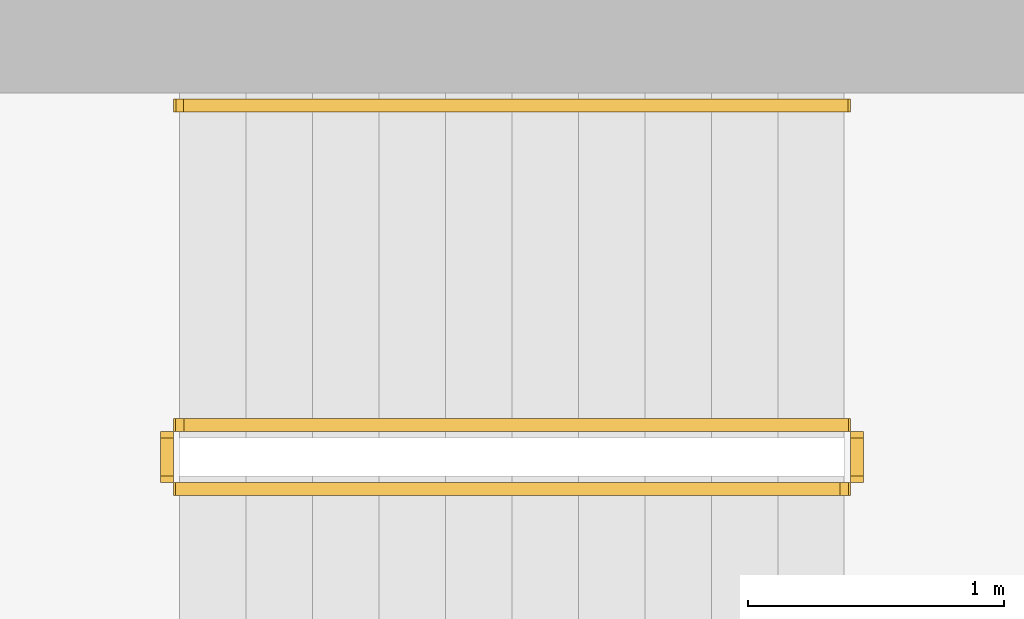
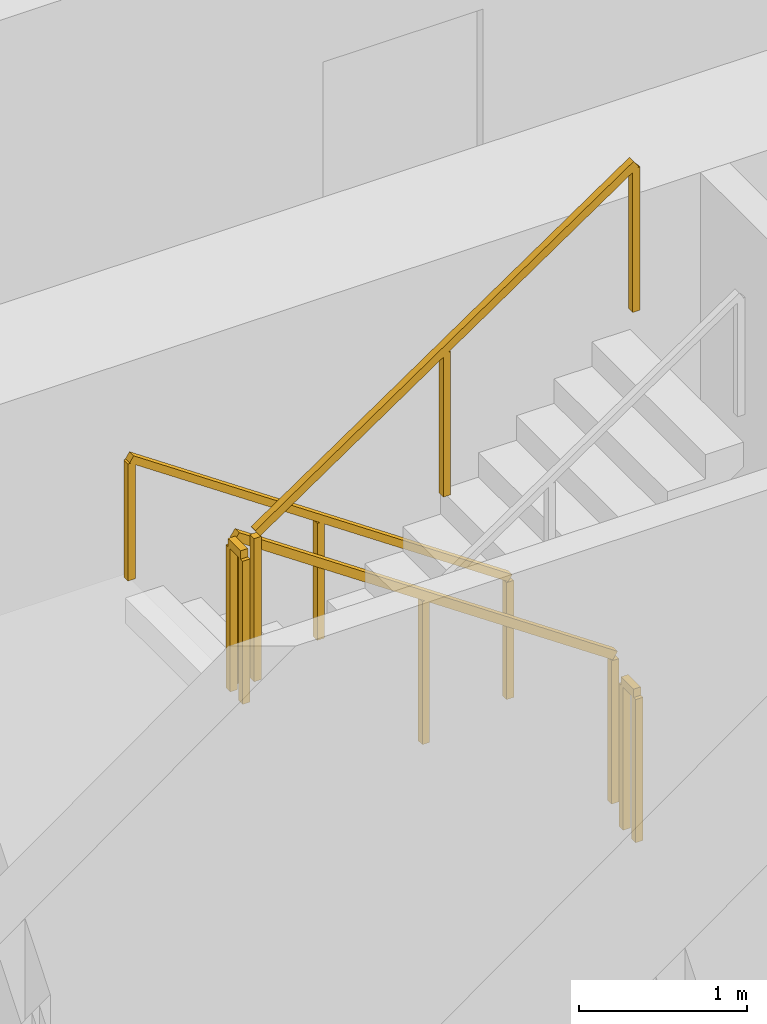
# One storey, part 15 of 16: 5 railings.
"""IFC4 building model written with IfcOpenShell, lengths in metres."""

from ifc_helpers import new_model, si_unit, direction, frame, origin, origin_2d, place, context, subcontext, project, spatial, rectangle, extrude, material, type_object, element, save


model = new_model("IFC4")

# Units and contexts
model_context = context("Model", 3, precision=1e-05, world=origin(), true_north=direction((0.0, 1.0)))
body_context = subcontext(model_context, "Body", "Model", "MODEL_VIEW")
ifc_project = project(units=[si_unit("LENGTHUNIT", "METRE"), si_unit("AREAUNIT", "SQUARE_METRE"), si_unit("VOLUMEUNIT", "CUBIC_METRE"), si_unit("PLANEANGLEUNIT", "RADIAN"), si_unit("MASSUNIT", "GRAM", prefix="KILO")], contexts=[model_context])

# Site, building, storey
site_placement = place(None, origin())
site = spatial("IfcSite", under=ifc_project, at=site_placement, CompositionType="ELEMENT")
building_placement = place(site_placement, origin())
building = spatial("IfcBuilding", under=site, at=building_placement, Name="Khepri Terraces", CompositionType="ELEMENT")
storey_placement = place(building_placement, frame((0.0, 0.0, 192.300048828125)))
storey = spatial("IfcBuildingStorey", under=building, at=storey_placement, Name="L45", CompositionType="ELEMENT", Elevation=192.300048828125)

# Railings
ifc_material = material(Name="Stainless steel 316", Category="steel")
railing_type_1 = type_object("IfcRailingType", Name="RL-CORE-GUARD", PredefinedType="GUARDRAIL", material=ifc_material)
railing_1_placement = place(storey_placement, frame((-0.25, 8.800048828125, 0.17724609375)))
element("IfcRailing", 1, at=railing_1_placement, inside=storey, type_object=railing_type_1, Name="L45 ST-3 stair guard 1", PredefinedType="GUARDRAIL", context=body_context, shape_type="SweptSolid", body=[
    extrude(rectangle(XDim=0.050048828125, YDim=0.06005859375, at=origin_2d()), frame((0.0, 0.0, 1.070068359375), z_axis=(-0.826240473404, 0.0, 0.563317565952), x_axis=(0.0, -1.0, 0.0)), (0.0, 0.0, 1.0), 3.14697265625),
    extrude(rectangle(XDim=0.050048828125, YDim=0.050048828125, at=origin_2d()), origin(), (0.0, 0.0, 1.0), 1.0400390625),
    extrude(rectangle(XDim=0.050048828125, YDim=0.050048828125, at=origin_2d()), frame((-1.300048828125, 0.0, 0.88623046875)), (0.0, 0.0, 1.0), 1.0400390625),
    extrude(rectangle(XDim=0.050048828125, YDim=0.050048828125, at=origin_2d()), frame((-2.60009765625, 0.0, 1.772705078125)), (0.0, 0.0, 1.0), 1.0400390625),
])
railing_2_placement = place(storey_placement, frame((-2.89990234375, 8.75, 1.949951171875)))
element("IfcRailing", 2, at=railing_2_placement, inside=storey, type_object=railing_type_1, Name="L45 ST-3 stair guard 2", PredefinedType="GUARDRAIL", context=body_context, shape_type="SweptSolid", body=[
    extrude(rectangle(XDim=0.050048828125, YDim=0.06005859375, at=origin_2d()), frame((0.0, 0.0, 1.070068359375), z_axis=(0.0, -1.0, 0.0), x_axis=(1.0, 0.0, 0.0)), (0.0, 0.0, 1.0), 0.14990234375),
    extrude(rectangle(XDim=0.050048828125, YDim=0.050048828125, at=origin_2d()), origin(), (0.0, 0.0, 1.0), 1.0400390625),
    extrude(rectangle(XDim=0.050048828125, YDim=0.050048828125, at=origin_2d()), frame((0.0, -0.14990234375, 0.0)), (0.0, 0.0, 1.0), 1.0400390625),
])
railing_3_placement = place(storey_placement, frame((-2.85009765625, 8.550048828125, 2.127197265625)))
element("IfcRailing", 3, at=railing_3_placement, inside=storey, type_object=railing_type_1, Name="L45 ST-3 stair guard 3", PredefinedType="GUARDRAIL", context=body_context, shape_type="SweptSolid", body=[
    extrude(rectangle(XDim=0.050048828125, YDim=0.06005859375, at=origin_2d()), frame((0.0, 0.0, 1.070068359375), z_axis=(0.826240473404, 0.0, 0.563317565952), x_axis=(0.0, 1.0, 0.0)), (0.0, 0.0, 1.0), 3.14697265625),
    extrude(rectangle(XDim=0.050048828125, YDim=0.050048828125, at=origin_2d()), origin(), (0.0, 0.0, 1.0), 1.0400390625),
    extrude(rectangle(XDim=0.050048828125, YDim=0.050048828125, at=origin_2d()), frame((1.300048828125, 0.0, 0.88623046875)), (0.0, 0.0, 1.0), 1.0400390625),
    extrude(rectangle(XDim=0.050048828125, YDim=0.050048828125, at=origin_2d()), frame((2.60009765625, 0.0, 1.772705078125)), (0.0, 0.0, 1.0), 1.0400390625),
])
railing_4_placement = place(storey_placement, frame((-0.199951171875, 8.75, 0.0)))
element("IfcRailing", 4, at=railing_4_placement, inside=storey, type_object=railing_type_1, Name="L45 ST-3 stair guard 4", PredefinedType="GUARDRAIL", context=body_context, shape_type="SweptSolid", body=[
    extrude(rectangle(XDim=0.050048828125, YDim=0.06005859375, at=origin_2d()), frame((0.0, 0.0, 1.070068359375), z_axis=(0.0, -1.0, 0.0), x_axis=(1.0, 0.0, 0.0)), (0.0, 0.0, 1.0), 0.14990234375),
    extrude(rectangle(XDim=0.050048828125, YDim=0.050048828125, at=origin_2d()), origin(), (0.0, 0.0, 1.0), 1.0400390625),
    extrude(rectangle(XDim=0.050048828125, YDim=0.050048828125, at=origin_2d()), frame((0.0, -0.14990234375, 0.0)), (0.0, 0.0, 1.0), 1.0400390625),
])
railing_type_2 = type_object("IfcRailingType", Name="RL-CORE-HANDRAIL", PredefinedType="HANDRAIL", material=ifc_material)
railing_5_placement = place(storey_placement, frame((-0.25, 10.050048828125, 0.17724609375)))
element("IfcRailing", 5, at=railing_5_placement, inside=storey, type_object=railing_type_2, Name="L45 ST-3 stair handrail 1", PredefinedType="HANDRAIL", context=body_context, shape_type="SweptSolid", body=[
    extrude(rectangle(XDim=0.050048828125, YDim=0.050048828125, at=origin_2d()), frame((0.0, 0.0, 0.875), z_axis=(-0.826240473404, 0.0, 0.563317565952), x_axis=(0.0, -1.0, 0.0)), (0.0, 0.0, 1.0), 3.14697265625),
    extrude(rectangle(XDim=0.050048828125, YDim=0.050048828125, at=origin_2d()), origin(), (0.0, 0.0, 1.0), 0.849853515625),
    extrude(rectangle(XDim=0.050048828125, YDim=0.050048828125, at=origin_2d()), frame((-1.300048828125, 0.0, 0.88623046875)), (0.0, 0.0, 1.0), 0.849853515625),
    extrude(rectangle(XDim=0.050048828125, YDim=0.050048828125, at=origin_2d()), frame((-2.60009765625, 0.0, 1.772705078125)), (0.0, 0.0, 1.0), 0.849853515625),
])

save(model, "model.ifc")
